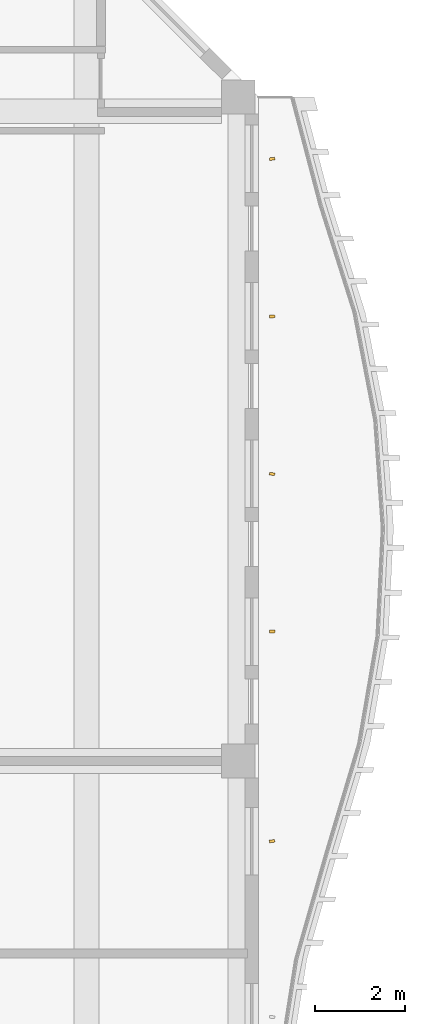
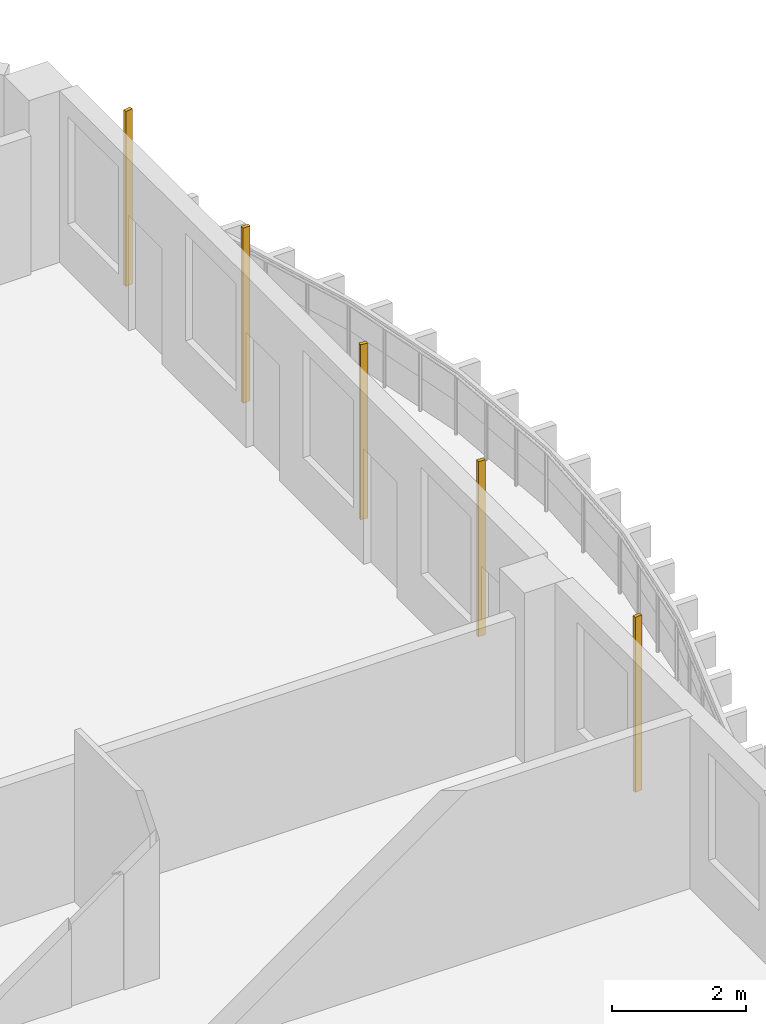
# One storey, part 21 of 21: 5 shading devices.
"""IFC4 building model written with IfcOpenShell, lengths in metres."""

from ifc_helpers import new_model, si_unit, direction, frame, origin, origin_2d, place, context, subcontext, project, spatial, rectangle, extrude, source, transform, mapped, material, material_profile, profile_set, type_object, element, save


model = new_model("IFC4")

# Units and contexts
model_context = context("Model", 3, precision=1e-05, world=origin(), true_north=direction((0.0, 1.0)))
body_context = subcontext(model_context, "Body", "Model", "MODEL_VIEW")
ifc_project = project(units=[si_unit("LENGTHUNIT", "METRE"), si_unit("AREAUNIT", "SQUARE_METRE"), si_unit("VOLUMEUNIT", "CUBIC_METRE"), si_unit("PLANEANGLEUNIT", "RADIAN"), si_unit("MASSUNIT", "GRAM", prefix="KILO")], contexts=[model_context])

# Site, building, storey
site_placement = place(None, origin())
site = spatial("IfcSite", under=ifc_project, at=site_placement, CompositionType="ELEMENT")
building_placement = place(site_placement, origin())
building = spatial("IfcBuilding", under=site, at=building_placement, Name="Kilnfold Tower and Market Hall", CompositionType="ELEMENT")
storey_placement = place(building_placement, frame((0.0, 0.0, 216.89990234375)))
storey = spatial("IfcBuildingStorey", under=building, at=storey_placement, Name="L53", CompositionType="ELEMENT", Elevation=216.89990234375)

# Shading devices
ifc_material = material(Name="Terracotta", Category="masonry")
ifc_material_profile = material_profile(ifc_material, rectangle(XDim=0.06005859375, YDim=0.1201171875, at=origin_2d()), Name="BAG 60x120")
ifc_profile_set = profile_set([ifc_material_profile], Name="Terracotta")
shading_device_type = type_object("IfcShadingDeviceType", Name="BAGUETTE", PredefinedType="USERDEFINED", material=ifc_profile_set)
shared_shape = source(origin(), body_context, "Body", "SweptSolid", [
    extrude(rectangle(XDim=0.06005859375, YDim=0.1201171875, at=origin_2d()), origin(), (0.0, 0.0, 1.0), 3.18017578125),
])
for number, where, z_axis, x_axis, name in (
    (1, (31.550048828125, 6.21875, 0.0), (0.0, 0.0, 1.0), (-0.128724633748, 0.991680376264, 0.0), "Terracotta baguette L53 E"),
    (2, (31.550048828125, 10.875, 0.0), (0.0, 0.0, 1.0), (0.017794437842, 0.999841666456, 0.0), "Terracotta baguette L53 E"),
    (3, (31.550048828125, 14.375, 0.0), (0.0, 0.0, 1.0), (0.138046130917, 0.990425800219, 0.0), "Terracotta baguette L53 E"),
    (4, (31.550048828125, 17.875, 0.0), (0.0, 0.0, 1.0), (-0.017794437842, 0.999841666456, 0.0), "Terracotta baguette L53 E"),
    (5, (31.550048828125, 21.375, 0.0), (0.0, 0.0, 1.0), (-0.138046130917, 0.990425800219, 0.0), "Terracotta baguette L53 E"),
):
    element("IfcShadingDevice", number, at=place(storey_placement, frame(where, z_axis=z_axis, x_axis=x_axis)), inside=storey, type_object=shading_device_type, Name=name, ObjectType="BAGUETTE", PredefinedType="USERDEFINED", context=body_context, shape_type="MappedRepresentation", body=[
        mapped(shared_shape, transform((0.0, 0.0, 0.0))),
    ])

save(model, "model.ifc")
